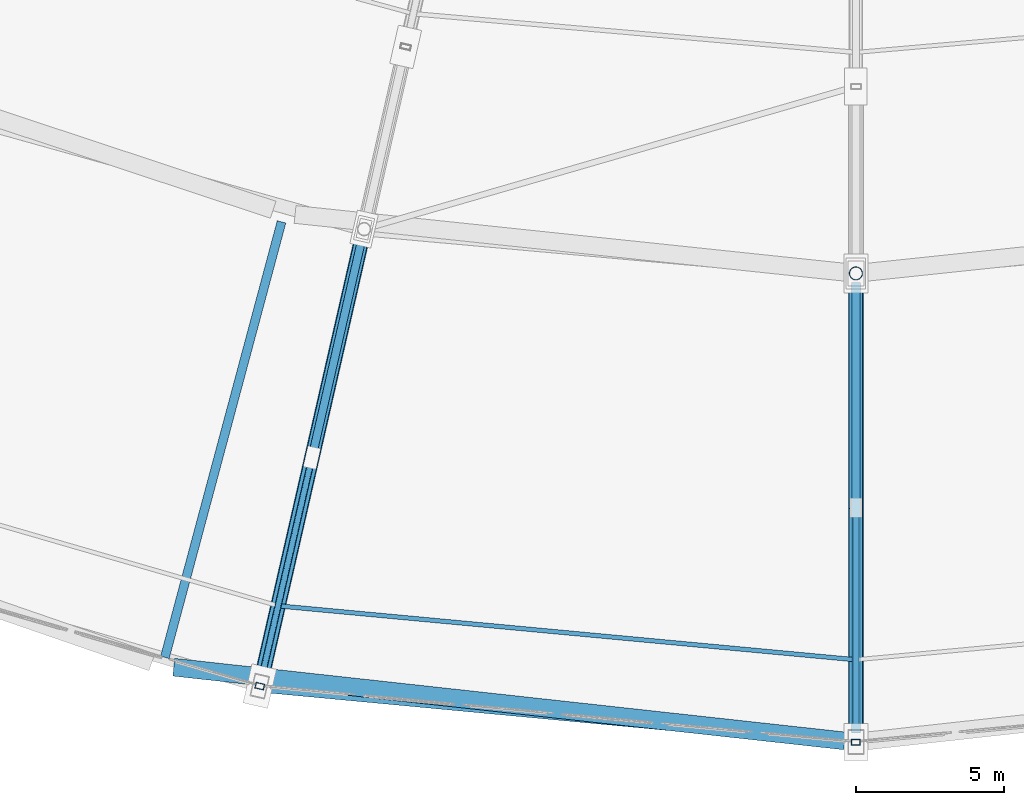
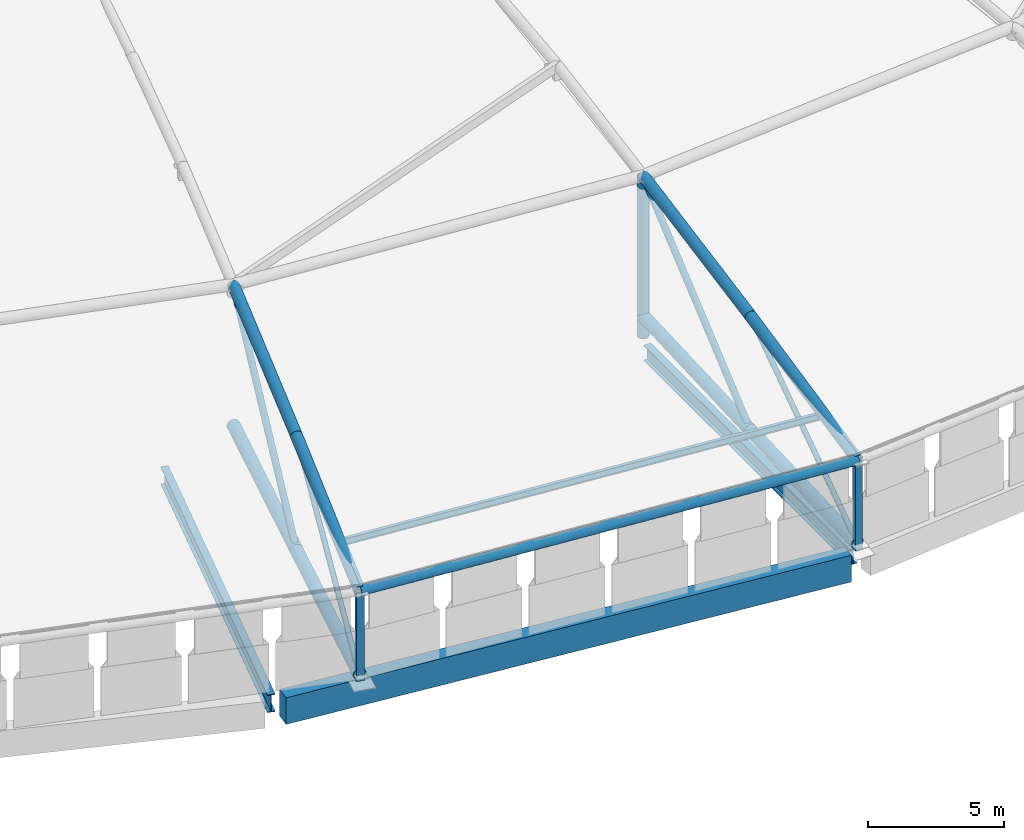
# One storey, part 13 of 108: 17 members, 3 beams.
"""IFC4 building model written with IfcOpenShell, lengths in metres."""

from ifc_helpers import new_model, si_unit, direction, frame, origin, origin_2d, place, context, subcontext, project, spatial, rectangle, hollow_rectangle, hollow_circle, i_section, extrude, material, material_profile, profile_set, type_object, element, save


model = new_model("IFC4")

# Units and contexts
model_context = context("Model", 3, precision=1e-05, world=origin(), true_north=direction((0.0, 1.0)))
body_context = subcontext(model_context, "Body", "Model", "MODEL_VIEW")
ifc_project = project(units=[si_unit("LENGTHUNIT", "METRE"), si_unit("AREAUNIT", "SQUARE_METRE"), si_unit("VOLUMEUNIT", "CUBIC_METRE"), si_unit("PLANEANGLEUNIT", "RADIAN"), si_unit("MASSUNIT", "GRAM", prefix="KILO")], contexts=[model_context])

# Site, building, storey
site_placement = place(None, origin())
site = spatial("IfcSite", under=ifc_project, at=site_placement, CompositionType="ELEMENT")
building_placement = place(site_placement, origin())
building = spatial("IfcBuilding", under=site, at=building_placement, Name="Zevraka Park Crest Stadium", CompositionType="ELEMENT")
storey_placement = place(building_placement, frame((0.0, 0.0, 29.39990234375)))
storey = spatial("IfcBuildingStorey", under=building, at=storey_placement, Name="RF", CompositionType="ELEMENT", Elevation=29.39990234375)

# Beams
ifc_material_1 = material(Name="Steel S355", Category="steel")
ifc_material_profile_1 = material_profile(ifc_material_1, i_section(OverallWidth=0.300048828125, OverallDepth=0.699951171875, WebThickness=0.01708984375, FlangeThickness=0.031982421875, at=origin_2d()), Name="HEB 700")
ifc_profile_set_1 = profile_set([ifc_material_profile_1], Name="Steel S355")
beam_type_1 = type_object("IfcBeamType", Name="BG06", PredefinedType="BEAM", material=ifc_profile_set_1)
beam_1_placement = place(storey_placement, frame((112.0, 32.199951171875, -0.534912109375), z_axis=(0.0, -1.0, 0.0), x_axis=(1.0, 0.0, 0.0)))
element("IfcBeam", 1, at=beam_1_placement, inside=storey, type_object=beam_type_1, Name="Radial Girder BG06 RF-BD-18", PredefinedType="BEAM", context=body_context, shape_type="SweptSolid", body=[
    extrude(i_section(OverallWidth=0.300048828125, OverallDepth=0.699951171875, WebThickness=0.01708984375, FlangeThickness=0.031982421875, at=origin_2d()), origin(), (0.0, 0.0, 1.0), 15.199951171875),
])
ifc_material_2 = material(Name="Steel S355", Category="steel")
ifc_material_profile_2 = material_profile(ifc_material_2, i_section(OverallWidth=0.300048828125, OverallDepth=0.800048828125, WebThickness=0.017578125, FlangeThickness=0.032958984375, at=origin_2d()), Name="HEB 800")
ifc_profile_set_2 = profile_set([ifc_material_profile_2], Name="Steel S355")
beam_type_2 = type_object("IfcBeamType", Name="BG10", PredefinedType="BEAM", material=ifc_profile_set_2)
beam_2_placement = place(storey_placement, frame((92.639892578125, 34.237060546875, -0.534912109375), z_axis=(-0.258761243247, -0.965941312396, 0.0), x_axis=(0.965941312396, -0.258761243247, 0.0)))
element("IfcBeam", 2, at=beam_2_placement, inside=storey, type_object=beam_type_2, Name="Radial Girder BG10 RF-BD-17", PredefinedType="BEAM", context=body_context, shape_type="SweptSolid", body=[
    extrude(i_section(OverallWidth=0.300048828125, OverallDepth=0.800048828125, WebThickness=0.017578125, FlangeThickness=0.032958984375, at=origin_2d()), origin(), (0.0, 0.0, 1.0), 15.19873046875),
])

# Member
ifc_material_3 = material(Name="Steel S355", Category="steel")
ifc_material_profile_3 = material_profile(ifc_material_3, i_section(OverallWidth=0.14990234375, OverallDepth=0.300048828125, WebThickness=0.007080078125, FlangeThickness=0.0107421875, at=origin_2d()), Name="IPE 300")
ifc_profile_set_3 = profile_set([ifc_material_profile_3], Name="Steel S355")
member_type_1 = type_object("IfcMemberType", Name="PR02", PredefinedType="PURLIN", material=ifc_profile_set_3)
member_1_placement = place(storey_placement, frame((92.52392578125, 21.2939453125, 4.287109375), z_axis=(0.995672202982, -0.092934730907, 0.0), x_axis=(0.092934730907, 0.995672202982, 0.0)))
element("IfcMember", 3, at=member_1_placement, inside=storey, type_object=member_type_1, Name="Canopy Roof Purlin PR02 OUTER-21-1", PredefinedType="PURLIN", context=body_context, shape_type="SweptSolid", body=[
    extrude(i_section(OverallWidth=0.14990234375, OverallDepth=0.300048828125, WebThickness=0.007080078125, FlangeThickness=0.0107421875, at=origin_2d()), origin(), (0.0, 0.0, 1.0), 19.560791015625),
])

# Beam
ifc_material_4 = material(Name="Concrete C40/50", Category="concrete")
ifc_material_profile_4 = material_profile(ifc_material_4, rectangle(XDim=0.60009765625, YDim=1.199951171875, at=origin_2d()), Name="RC 1200x600")
ifc_profile_set_4 = profile_set([ifc_material_profile_4], Name="Concrete C40/50")
beam_type_3 = type_object("IfcBeamType", Name="RB01", PredefinedType="BEAM", material=ifc_profile_set_4)
beam_3_placement = place(storey_placement, frame((89.007080078125, 19.22509765625, -0.599853515625), z_axis=(0.994021150509, -0.109187693174, 0.0), x_axis=(0.109187693174, 0.994021150509, 0.0)))
element("IfcBeam", 4, at=beam_3_placement, inside=storey, type_object=beam_type_3, Name="Ring Beam RB01 RF-D-17", PredefinedType="BEAM", context=body_context, shape_type="SweptSolid", body=[
    extrude(rectangle(XDim=0.60009765625, YDim=1.199951171875, at=origin_2d()), origin(), (0.0, 0.0, 1.0), 22.7509765625),
])

# Members
ifc_material_5 = material(Name="Steel S355", Category="steel")
ifc_material_profile_5 = material_profile(ifc_material_5, hollow_circle(Radius=0.25390625, WallThickness=0.030029296875, at=origin_2d()), Name="CHS 508.0x30")
ifc_profile_set_5 = profile_set([ifc_material_profile_5], Name="Steel S355")
member_type_2 = type_object("IfcMemberType", Name="TC01", PredefinedType="CHORD", material=ifc_profile_set_5)
member_2_placement = place(storey_placement, frame((91.906005859375, 18.587890625, 0.25), z_axis=(0.222371621946, 0.974223014742, 0.037952329311), x_axis=(-0.97492539894, 0.222531944902, 0.0)))
element("IfcMember", 5, at=member_2_placement, inside=storey, type_object=member_type_2, Name="Roof Truss Bottom Chord TC01 T21-1", PredefinedType="CHORD", context=body_context, shape_type="SweptSolid", body=[
    extrude(hollow_circle(Radius=0.25390625, WallThickness=0.030029296875, at=origin_2d()), origin(), (0.0, 0.0, 1.0), 7.906005859375),
])
member_3_placement = place(storey_placement, frame((93.6640625, 26.2900390625, 0.550048828125), z_axis=(0.222320446954, 0.97396794057, 0.044272673369), x_axis=(-0.974923868544, 0.222538649551, 0.0)))
element("IfcMember", 6, at=member_3_placement, inside=storey, type_object=member_type_2, Name="Roof Truss Bottom Chord TC01 T21-2", PredefinedType="CHORD", context=body_context, shape_type="SweptSolid", body=[
    extrude(hollow_circle(Radius=0.25390625, WallThickness=0.030029296875, at=origin_2d()), origin(), (0.0, 0.0, 1.0), 7.90771484375),
])
member_4_placement = place(storey_placement, frame((112.0, 16.699951171875, 0.25), z_axis=(0.0, 0.999279533078, 0.03795279663), x_axis=(-1.0, 0.0, 0.0)))
element("IfcMember", 7, at=member_4_placement, inside=storey, type_object=member_type_2, Name="Roof Truss Bottom Chord TC01 T22-1", PredefinedType="CHORD", context=body_context, shape_type="SweptSolid", body=[
    extrude(hollow_circle(Radius=0.25390625, WallThickness=0.030029296875, at=origin_2d()), origin(), (0.0, 0.0, 1.0), 7.90576171875),
])
member_5_placement = place(storey_placement, frame((112.0, 24.60009765625, 0.550048828125), z_axis=(0.0, 0.999019458827, 0.044273252486), x_axis=(-1.0, 0.0, 0.0)))
element("IfcMember", 8, at=member_5_placement, inside=storey, type_object=member_type_2, Name="Roof Truss Bottom Chord TC01 T22-2", PredefinedType="CHORD", context=body_context, shape_type="SweptSolid", body=[
    extrude(hollow_circle(Radius=0.25390625, WallThickness=0.030029296875, at=origin_2d()), origin(), (0.0, 0.0, 1.0), 7.90771484375),
])
ifc_material_6 = material(Name="Steel S355", Category="steel")
ifc_material_profile_6 = material_profile(ifc_material_6, hollow_circle(Radius=0.228515625, WallThickness=0.02490234375, at=origin_2d()), Name="CHS 457.0x25")
ifc_profile_set_6 = profile_set([ifc_material_profile_6], Name="Steel S355")
member_type_3 = type_object("IfcMemberType", Name="TC02", PredefinedType="CHORD", material=ifc_profile_set_6)
member_6_placement = place(storey_placement, frame((91.906005859375, 18.587890625, 4.0), z_axis=(0.217551082903, 0.953103952705, 0.210391020877), x_axis=(-0.97492539894, 0.222531944902, 0.0)))
element("IfcMember", 9, at=member_6_placement, inside=storey, type_object=member_type_3, Name="Roof Truss Top Chord TC02 T21-1", PredefinedType="CHORD", context=body_context, shape_type="SweptSolid", body=[
    extrude(hollow_circle(Radius=0.228515625, WallThickness=0.02490234375, at=origin_2d()), origin(), (0.0, 0.0, 1.0), 8.0810546875),
])
member_7_placement = place(storey_placement, frame((93.6640625, 26.2900390625, 5.7001953125), z_axis=(0.218632489842, 0.957811298019, 0.186540482931), x_axis=(-0.974923868544, 0.222538649551, 0.0)))
element("IfcMember", 10, at=member_7_placement, inside=storey, type_object=member_type_3, Name="Roof Truss Top Chord TC02 T21-2", PredefinedType="CHORD", context=body_context, shape_type="SweptSolid", body=[
    extrude(hollow_circle(Radius=0.228515625, WallThickness=0.02490234375, at=origin_2d()), origin(), (0.0, 0.0, 1.0), 8.041259765625),
])
member_8_placement = place(storey_placement, frame((112.0, 32.5, 0.0), z_axis=(0.0, 0.0, 1.0), x_axis=(0.0, 1.0, 0.0)))
element("IfcMember", 11, at=member_8_placement, inside=storey, type_object=member_type_3, Name="Roof Truss Anchor Strut TC02 T22-2", PredefinedType="CHORD", context=body_context, shape_type="SweptSolid", body=[
    extrude(hollow_circle(Radius=0.228515625, WallThickness=0.02490234375, at=origin_2d()), origin(), (0.0, 0.0, 1.0), 7.2001953125),
])
member_9_placement = place(storey_placement, frame((112.0, 16.699951171875, 4.0), z_axis=(0.0, 0.977616783303, 0.210393500384), x_axis=(-1.0, 0.0, 0.0)))
element("IfcMember", 12, at=member_9_placement, inside=storey, type_object=member_type_3, Name="Roof Truss Top Chord TC02 T22-1", PredefinedType="CHORD", context=body_context, shape_type="SweptSolid", body=[
    extrude(hollow_circle(Radius=0.228515625, WallThickness=0.02490234375, at=origin_2d()), origin(), (0.0, 0.0, 1.0), 8.0810546875),
])
member_10_placement = place(storey_placement, frame((112.0, 24.60009765625, 5.7001953125), z_axis=(0.0, 0.982446826972, 0.186542842726), x_axis=(-1.0, 0.0, 0.0)))
element("IfcMember", 13, at=member_10_placement, inside=storey, type_object=member_type_3, Name="Roof Truss Top Chord TC02 T22-2", PredefinedType="CHORD", context=body_context, shape_type="SweptSolid", body=[
    extrude(hollow_circle(Radius=0.228515625, WallThickness=0.02490234375, at=origin_2d()), origin(), (0.0, 0.0, 1.0), 8.041015625),
])
ifc_material_7 = material(Name="Steel S355", Category="steel")
ifc_material_profile_7 = material_profile(ifc_material_7, hollow_circle(Radius=0.203125, WallThickness=0.02001953125, at=origin_2d()), Name="CHS 406.4x20")
ifc_profile_set_7 = profile_set([ifc_material_profile_7], Name="Steel S355")
member_type_4 = type_object("IfcMemberType", Name="TC03", PredefinedType="CHORD", material=ifc_profile_set_7)
member_11_placement = place(storey_placement, frame((91.906005859375, 18.587890625, 4.0), z_axis=(0.995615199736, -0.093543434051, 0.0), x_axis=(0.093543434051, 0.995615199736, 0.0)))
element("IfcMember", 14, at=member_11_placement, inside=storey, type_object=member_type_4, Name="Roof Outer Canopy Ring Chord TC03 21", PredefinedType="CHORD", context=body_context, shape_type="SweptSolid", body=[
    extrude(hollow_circle(Radius=0.203125, WallThickness=0.02001953125, at=origin_2d()), origin(), (0.0, 0.0, 1.0), 20.182373046875),
])
ifc_material_8 = material(Name="Steel S355", Category="steel")
ifc_material_profile_8 = material_profile(ifc_material_8, hollow_circle(Radius=0.136474609375, WallThickness=0.012451171875, at=origin_2d()), Name="CHS 273.0x12.5")
ifc_profile_set_8 = profile_set([ifc_material_profile_8], Name="Steel S355")
member_type_5 = type_object("IfcMemberType", Name="WB01", PredefinedType="BRACE", material=ifc_profile_set_8)
for number, where, z_axis, x_axis, name in (
    (15, (93.6640625, 26.2900390625, 0.550048828125), (0.170248741629, 0.745846000859, 0.643994649805), (-0.974923868544, 0.222538649551, 0.0), "Roof Truss Web Diagonal WB01 T21-2"),
    (16, (112.0, 24.60009765625, 0.550048828125), (0.0, 0.765025835155, 0.643999589709), (-1.0, 0.0, 0.0), "Roof Truss Web Diagonal WB01 T22-2"),
):
    element("IfcMember", number, at=place(storey_placement, frame(where, z_axis=z_axis, x_axis=x_axis)), inside=storey, type_object=member_type_5, Name=name, PredefinedType="BRACE", context=body_context, shape_type="SweptSolid", body=[
        extrude(hollow_circle(Radius=0.136474609375, WallThickness=0.012451171875, at=origin_2d()), origin(), (0.0, 0.0, 1.0), 10.326416015625),
    ])
ifc_material_9 = material(Name="Steel S355", Category="steel")
ifc_material_profile_9 = material_profile(ifc_material_9, hollow_circle(Radius=0.109619140625, WallThickness=0.010009765625, at=origin_2d()), Name="CHS 219.1x10")
ifc_profile_set_9 = profile_set([ifc_material_profile_9], Name="Steel S355")
member_type_6 = type_object("IfcMemberType", Name="WB02", PredefinedType="BRACE", material=ifc_profile_set_9)
member_12_placement = place(storey_placement, frame((91.906005859375, 18.587890625, 0.25), z_axis=(0.183172163518, 0.802487906494, 0.567856600246), x_axis=(-0.97492539894, 0.222531944902, 0.0)))
element("IfcMember", 17, at=member_12_placement, inside=storey, type_object=member_type_6, Name="Roof Truss Web Diagonal WB02 T21-1", PredefinedType="BRACE", context=body_context, shape_type="SweptSolid", body=[
    extrude(hollow_circle(Radius=0.109619140625, WallThickness=0.010009765625, at=origin_2d()), origin(), (0.0, 0.0, 1.0), 9.597900390625),
])
member_13_placement = place(storey_placement, frame((112.0, 16.699951171875, 0.25), z_axis=(0.0, 0.823124227189, 0.567861344533), x_axis=(-1.0, 0.0, 0.0)))
element("IfcMember", 18, at=member_13_placement, inside=storey, type_object=member_type_6, Name="Roof Truss Web Diagonal WB02 T22-1", PredefinedType="BRACE", context=body_context, shape_type="SweptSolid", body=[
    extrude(hollow_circle(Radius=0.109619140625, WallThickness=0.010009765625, at=origin_2d()), origin(), (0.0, 0.0, 1.0), 9.59765625),
])
ifc_material_10 = material(Name="Steel S355", Category="steel")
ifc_material_profile_10 = material_profile(ifc_material_10, hollow_rectangle(XDim=0.199951171875, YDim=0.300048828125, WallThickness=0.012451171875, at=origin_2d()), Name="RHS 300x200x12.5")
ifc_profile_set_10 = profile_set([ifc_material_profile_10], Name="Steel S355")
member_type_7 = type_object("IfcMemberType", Name="WB03", PredefinedType="BRACE", material=ifc_profile_set_10)
for number, where, z_axis, x_axis, name in (
    (19, (91.906005859375, 18.587890625, 0.0), (0.0, 0.0, 1.0), (0.222569549971, 0.974916814618, 0.0), "Roof Truss Anchor Strut WB03 T21-0"),
    (20, (112.0, 16.699951171875, 0.0), (0.0, 0.0, 1.0), (0.0, 1.0, 0.0), "Roof Truss Anchor Strut WB03 T22-0"),
):
    element("IfcMember", number, at=place(storey_placement, frame(where, z_axis=z_axis, x_axis=x_axis)), inside=storey, type_object=member_type_7, Name=name, PredefinedType="BRACE", context=body_context, shape_type="SweptSolid", body=[
        extrude(hollow_rectangle(XDim=0.199951171875, YDim=0.300048828125, WallThickness=0.012451171875, at=origin_2d()), origin(), (0.0, 0.0, 1.0), 4.0),
    ])

save(model, "model.ifc")
